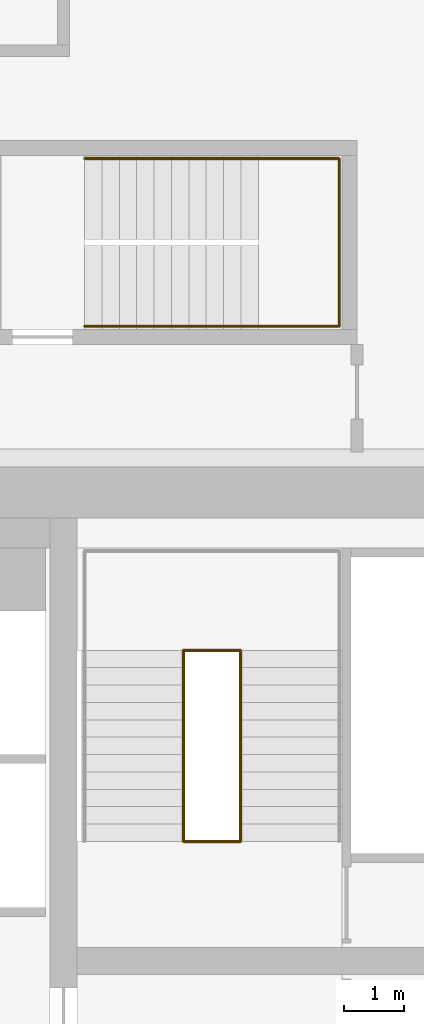
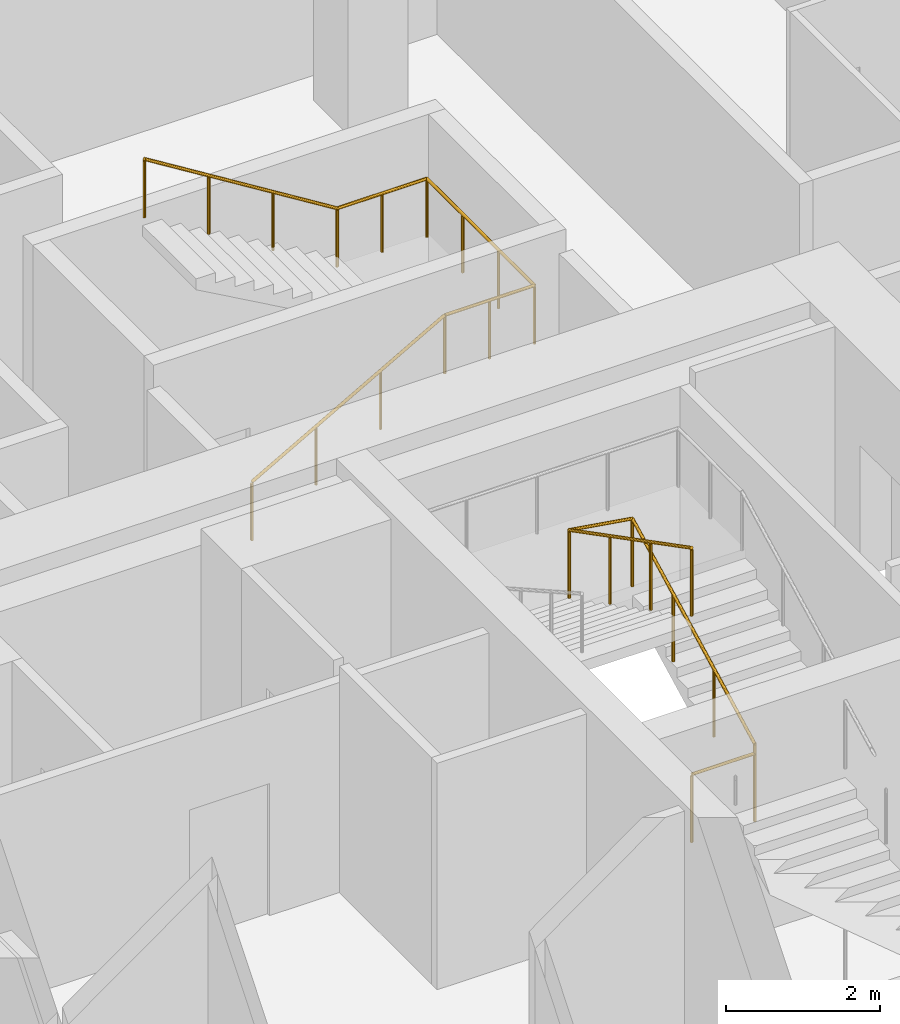
# One storey, part 23 of 23: 2 railings.
"""IFC4 building model written with IfcOpenShell, lengths in metres."""

from ifc_helpers import new_model, si_unit, direction, frame, origin, origin_2d, place, context, subcontext, project, spatial, circle, extrude, material, type_object, element, save


model = new_model("IFC4")

# Units and contexts
model_context = context("Model", 3, precision=1e-05, world=origin(), true_north=direction((0.0, 1.0)))
body_context = subcontext(model_context, "Body", "Model", "MODEL_VIEW")
ifc_project = project(units=[si_unit("LENGTHUNIT", "METRE"), si_unit("AREAUNIT", "SQUARE_METRE"), si_unit("VOLUMEUNIT", "CUBIC_METRE"), si_unit("PLANEANGLEUNIT", "RADIAN"), si_unit("MASSUNIT", "GRAM", prefix="KILO")], contexts=[model_context])

# Site, building, storey
site_placement = place(None, origin())
site = spatial("IfcSite", under=ifc_project, at=site_placement, CompositionType="ELEMENT")
building_placement = place(site_placement, origin())
building = spatial("IfcBuilding", under=site, at=building_placement, Name="Marenta Gate Hotel Tower", CompositionType="ELEMENT")
storey_placement = place(building_placement, frame((0.0, 0.0, 140.89990234375)))
storey = spatial("IfcBuildingStorey", under=building, at=storey_placement, Name="L32", CompositionType="ELEMENT", Elevation=140.89990234375)

# Railings
ifc_material_1 = material(Name="Stainless steel", Category="steel")
railing_type_1 = type_object("IfcRailingType", Name="Core stair handrail 950", PredefinedType="HANDRAIL", material=ifc_material_1)
railing_1_placement = place(storey_placement, frame((4.550048828125, 19.0, 0.163818359375)))
element("IfcRailing", 1, at=railing_1_placement, inside=storey, type_object=railing_type_1, Name="HR-950 L32-RS-Z2-4-KR-1", PredefinedType="HANDRAIL", context=body_context, shape_type="SweptSolid", body=[
    extrude(circle(Radius=0.02392578125, at=origin_2d()), frame((0.0, 0.0, 0.92578125), z_axis=(0.870928581787, 0.0, 0.491409610636), x_axis=(0.0, 1.0, 0.0)), (0.0, 0.0, 1.0), 3.32958984375),
    extrude(circle(Radius=0.02392578125, at=origin_2d()), frame((2.89990234375, 0.0, 2.56201171875), z_axis=(1.0, 0.0, 0.0), x_axis=(0.0, 1.0, 0.0)), (0.0, 0.0, 1.0), 1.35009765625),
    extrude(circle(Radius=0.02392578125, at=origin_2d()), frame((4.25, 0.0, 2.56201171875), z_axis=(0.0, 1.0, 0.0), x_axis=(-1.0, 0.0, 0.0)), (0.0, 0.0, 1.0), 2.800048828125),
    extrude(circle(Radius=0.02392578125, at=origin_2d()), frame((4.25, 2.800048828125, 2.56201171875), z_axis=(-1.0, 0.0, 0.0), x_axis=(0.0, -1.0, 0.0)), (0.0, 0.0, 1.0), 1.35009765625),
    extrude(circle(Radius=0.02392578125, at=origin_2d()), frame((2.89990234375, 2.800048828125, 2.56201171875), z_axis=(-0.849625798611, 0.0, 0.527386008853), x_axis=(0.0, -1.0, 0.0)), (0.0, 0.0, 1.0), 3.4130859375),
    extrude(circle(Radius=0.02099609375, at=origin_2d()), origin(), (0.0, 0.0, 1.0), 0.90185546875),
    extrude(circle(Radius=0.02099609375, at=origin_2d()), frame((0.966552734375, 0.0, 0.54541015625)), (0.0, 0.0, 1.0), 0.90185546875),
    extrude(circle(Radius=0.02099609375, at=origin_2d()), frame((1.933349609375, 0.0, 1.0908203125)), (0.0, 0.0, 1.0), 0.90185546875),
    extrude(circle(Radius=0.02099609375, at=origin_2d()), frame((2.89990234375, 0.0, 1.63623046875)), (0.0, 0.0, 1.0), 0.90185546875),
    extrude(circle(Radius=0.02099609375, at=origin_2d()), frame((3.574951171875, 0.0, 1.63623046875)), (0.0, 0.0, 1.0), 0.90185546875),
    extrude(circle(Radius=0.02099609375, at=origin_2d()), frame((4.25, 0.0, 1.63623046875)), (0.0, 0.0, 1.0), 0.90185546875),
    extrude(circle(Radius=0.02099609375, at=origin_2d()), frame((4.25, 0.933349609375, 1.63623046875)), (0.0, 0.0, 1.0), 0.90185546875),
    extrude(circle(Radius=0.02099609375, at=origin_2d()), frame((4.25, 1.86669921875, 1.63623046875)), (0.0, 0.0, 1.0), 0.90185546875),
    extrude(circle(Radius=0.02099609375, at=origin_2d()), frame((4.25, 2.800048828125, 1.63623046875)), (0.0, 0.0, 1.0), 0.90185546875),
    extrude(circle(Radius=0.02099609375, at=origin_2d()), frame((3.574951171875, 2.800048828125, 1.63623046875)), (0.0, 0.0, 1.0), 0.90185546875),
    extrude(circle(Radius=0.02099609375, at=origin_2d()), frame((2.89990234375, 2.800048828125, 1.63623046875)), (0.0, 0.0, 1.0), 0.90185546875),
    extrude(circle(Radius=0.02099609375, at=origin_2d()), frame((1.933349609375, 2.800048828125, 2.236328125)), (0.0, 0.0, 1.0), 0.90185546875),
    extrude(circle(Radius=0.02099609375, at=origin_2d()), frame((0.966552734375, 2.800048828125, 2.836181640625)), (0.0, 0.0, 1.0), 0.90185546875),
    extrude(circle(Radius=0.02099609375, at=origin_2d()), frame((0.0, 2.800048828125, 3.436279296875)), (0.0, 0.0, 1.0), 0.90185546875),
])
ifc_material_2 = material(Name="Stainless steel", Category="steel")
railing_type_2 = type_object("IfcRailingType", Name="Core stair well guard 1100", PredefinedType="GUARDRAIL", material=ifc_material_2)
railing_2_placement = place(storey_placement, frame((6.199951171875, 10.39990234375, 0.0)))
element("IfcRailing", 2, at=railing_2_placement, inside=storey, type_object=railing_type_2, Name="GR-1100 L32-KR-ST4-2", PredefinedType="GUARDRAIL", context=body_context, shape_type="SweptSolid", body=[
    extrude(circle(Radius=0.02392578125, at=origin_2d()), frame((0.0, 0.0, 1.076171875), z_axis=(1.0, 0.0, 0.0), x_axis=(0.0, 1.0, 0.0)), (0.0, 0.0, 1.0), 0.949951171875),
    extrude(circle(Radius=0.02392578125, at=origin_2d()), frame((0.949951171875, 0.0, 1.076171875), z_axis=(0.0, 0.0, 1.0), x_axis=(1.0, 0.0, 0.0)), (0.0, 0.0, 1.0), 0.150146484375),
    extrude(circle(Radius=0.02392578125, at=origin_2d()), frame((0.949951171875, 0.0, 1.22607421875), z_axis=(0.0, 0.888239641807, 0.459380385653), x_axis=(-1.0, 0.0, 0.0)), (0.0, 0.0, 1.0), 3.591552734375),
    extrude(circle(Radius=0.02392578125, at=origin_2d()), frame((0.949951171875, 3.190185546875, 2.8759765625), z_axis=(-0.987738253826, 0.0, 0.156118999255), x_axis=(0.0, -1.0, 0.0)), (0.0, 0.0, 1.0), 0.961669921875),
    extrude(circle(Radius=0.02392578125, at=origin_2d()), frame((0.0, 3.190185546875, 3.0263671875), z_axis=(0.0, -0.888239641807, 0.459380385653), x_axis=(1.0, 0.0, 0.0)), (0.0, 0.0, 1.0), 3.591552734375),
    extrude(circle(Radius=0.02099609375, at=origin_2d()), origin(), (0.0, 0.0, 1.0), 1.052001953125),
    extrude(circle(Radius=0.02099609375, at=origin_2d()), frame((0.949951171875, 0.0, 0.0)), (0.0, 0.0, 1.0), 1.052001953125),
    extrude(circle(Radius=0.02099609375, at=origin_2d()), frame((0.949951171875, 0.0, 0.150146484375)), (0.0, 0.0, 1.0), 1.052001953125),
    extrude(circle(Radius=0.02099609375, at=origin_2d()), frame((0.949951171875, 1.0634765625, 0.7001953125)), (0.0, 0.0, 1.0), 1.052001953125),
    extrude(circle(Radius=0.02099609375, at=origin_2d()), frame((0.949951171875, 2.126708984375, 1.25)), (0.0, 0.0, 1.0), 1.052001953125),
    extrude(circle(Radius=0.02099609375, at=origin_2d()), frame((0.949951171875, 3.190185546875, 1.800048828125)), (0.0, 0.0, 1.0), 1.052001953125),
    extrude(circle(Radius=0.02099609375, at=origin_2d()), frame((0.0, 3.190185546875, 1.9501953125)), (0.0, 0.0, 1.0), 1.052001953125),
    extrude(circle(Radius=0.02099609375, at=origin_2d()), frame((0.0, 2.126708984375, 2.500244140625)), (0.0, 0.0, 1.0), 1.052001953125),
    extrude(circle(Radius=0.02099609375, at=origin_2d()), frame((0.0, 1.0634765625, 3.050048828125)), (0.0, 0.0, 1.0), 1.052001953125),
    extrude(circle(Radius=0.02099609375, at=origin_2d()), frame((0.0, 0.0, 3.60009765625)), (0.0, 0.0, 1.0), 1.052001953125),
])

save(model, "model.ifc")
